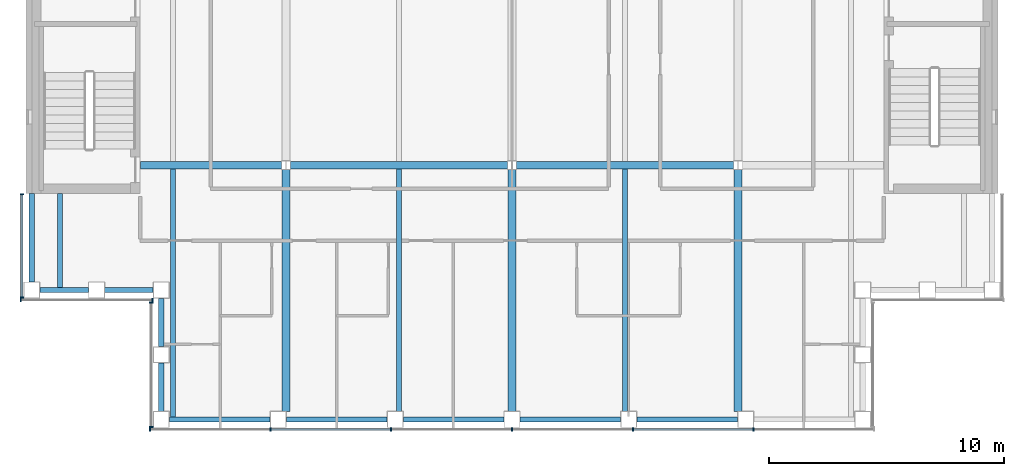
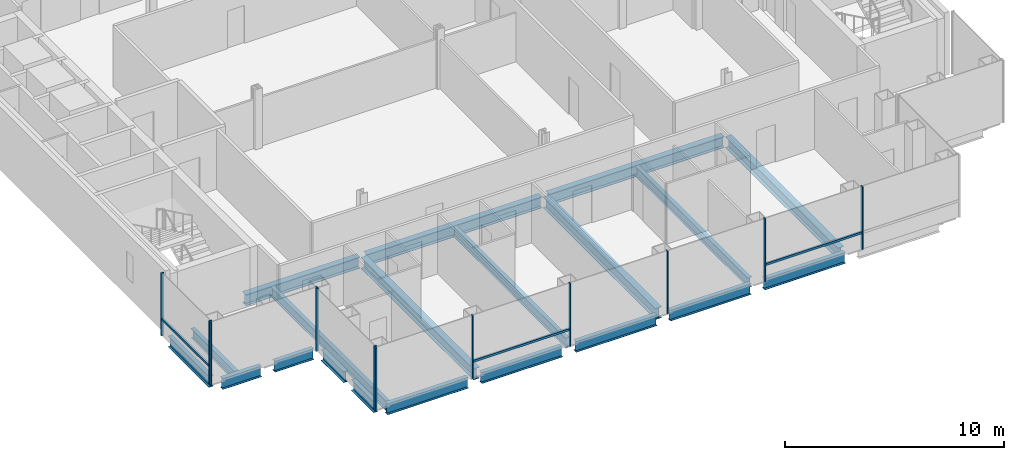
# One storey, part 3 of 15: 20 beams, 15 members, 4 elements without a shape of their own.
"""IFC4 building model written with IfcOpenShell, lengths in metres."""

from ifc_helpers import new_model, si_unit, direction, frame, origin, origin_2d, place, context, subcontext, project, spatial, rectangle, i_section, extrude, material, material_profile, profile_set, type_object, element, aggregate, save


model = new_model("IFC4")

# Units and contexts
model_context = context("Model", 3, precision=1e-05, world=origin(), true_north=direction((0.0, 1.0)))
body_context = subcontext(model_context, "Body", "Model", "MODEL_VIEW")
ifc_project = project(units=[si_unit("LENGTHUNIT", "METRE"), si_unit("AREAUNIT", "SQUARE_METRE"), si_unit("VOLUMEUNIT", "CUBIC_METRE"), si_unit("PLANEANGLEUNIT", "RADIAN"), si_unit("MASSUNIT", "GRAM", prefix="KILO")], contexts=[model_context])

# Site, building, storey
site_placement = place(None, origin())
site = spatial("IfcSite", under=ifc_project, at=site_placement, CompositionType="ELEMENT")
building_placement = place(site_placement, origin())
building = spatial("IfcBuilding", under=site, at=building_placement, Name="Cobrizo Arcos Hotel Tower", CompositionType="ELEMENT")
storey_placement = place(building_placement, frame((0.0, 0.0, 201.5)))
storey = spatial("IfcBuildingStorey", under=building, at=storey_placement, Name="L52", CompositionType="ELEMENT", Elevation=201.5)

# Curtain wall, members
ifc_material_1 = material(Name="Aluminium 6063-T6 anodised bronze", Category="aluminium")
curtain_wall_type = type_object("IfcCurtainWallType", Name="CW-A guest facade", PredefinedType="NOTDEFINED", material=ifc_material_1)
curtain_wall_1_placement = place(storey_placement, origin())
curtain_wall_1 = element("IfcCurtainWall", 1, at=curtain_wall_1_placement, inside=storey, type_object=curtain_wall_type, Name="CW-A L52 S face", PredefinedType="NOTDEFINED")
ifc_material_profile_1 = material_profile(ifc_material_1, rectangle(XDim=0.14990234375, YDim=0.06005859375, at=origin_2d()), Name="CW-A mullion 150x60")
ifc_profile_set_1 = profile_set([ifc_material_profile_1], Name="Aluminium 6063-T6 anodised bronze")
member_type_1 = type_object("IfcMemberType", Name="CW-A mullion 150x60", PredefinedType="MULLION", material=ifc_profile_set_1)
member_1_placement = place(storey_placement, frame((-15.3701171875, -20.824951171875, 0.0), z_axis=(0.0, 0.0, 1.0), x_axis=(0.0, -1.0, 0.0)))
member_1 = element("IfcMember", 2, at=member_1_placement, type_object=member_type_1, Name="CW-A mullion 1", PredefinedType="MULLION", context=body_context, shape_type="SweptSolid", body=[
    extrude(rectangle(XDim=0.14990234375, YDim=0.06005859375, at=origin_2d()), origin(), (0.0, 0.0, 1.0), 3.5),
])
member_2_placement = place(storey_placement, frame((-10.2666015625, -20.824951171875, 0.0), z_axis=(0.0, 0.0, 1.0), x_axis=(0.0, -1.0, 0.0)))
member_2 = element("IfcMember", 3, at=member_2_placement, type_object=member_type_1, Name="CW-A mullion 2", PredefinedType="MULLION", context=body_context, shape_type="SweptSolid", body=[
    extrude(rectangle(XDim=0.14990234375, YDim=0.06005859375, at=origin_2d()), origin(), (0.0, 0.0, 1.0), 3.5),
])
member_3_placement = place(storey_placement, frame((-5.13330078125, -20.824951171875, 0.0), z_axis=(0.0, 0.0, 1.0), x_axis=(0.0, -1.0, 0.0)))
member_3 = element("IfcMember", 4, at=member_3_placement, type_object=member_type_1, Name="CW-A mullion 3", PredefinedType="MULLION", context=body_context, shape_type="SweptSolid", body=[
    extrude(rectangle(XDim=0.14990234375, YDim=0.06005859375, at=origin_2d()), origin(), (0.0, 0.0, 1.0), 3.5),
])
member_4_placement = place(storey_placement, frame((0.0, -20.824951171875, 0.0), z_axis=(0.0, 0.0, 1.0), x_axis=(0.0, -1.0, 0.0)))
member_4 = element("IfcMember", 5, at=member_4_placement, type_object=member_type_1, Name="CW-A mullion 4", PredefinedType="MULLION", context=body_context, shape_type="SweptSolid", body=[
    extrude(rectangle(XDim=0.14990234375, YDim=0.06005859375, at=origin_2d()), origin(), (0.0, 0.0, 1.0), 3.5),
])
member_5_placement = place(storey_placement, frame((5.13330078125, -20.824951171875, 0.0), z_axis=(0.0, 0.0, 1.0), x_axis=(0.0, -1.0, 0.0)))
member_5 = element("IfcMember", 6, at=member_5_placement, type_object=member_type_1, Name="CW-A mullion 5", PredefinedType="MULLION", context=body_context, shape_type="SweptSolid", body=[
    extrude(rectangle(XDim=0.14990234375, YDim=0.06005859375, at=origin_2d()), origin(), (0.0, 0.0, 1.0), 3.5),
])
member_6_placement = place(storey_placement, frame((10.2666015625, -20.824951171875, 0.0), z_axis=(0.0, 0.0, 1.0), x_axis=(0.0, -1.0, 0.0)))
member_6 = element("IfcMember", 7, at=member_6_placement, type_object=member_type_1, Name="CW-A mullion 6", PredefinedType="MULLION", context=body_context, shape_type="SweptSolid", body=[
    extrude(rectangle(XDim=0.14990234375, YDim=0.06005859375, at=origin_2d()), origin(), (0.0, 0.0, 1.0), 3.5),
])

curtain_wall_2_placement = place(storey_placement, origin())
curtain_wall_2 = element("IfcCurtainWall", 8, at=curtain_wall_2_placement, inside=storey, type_object=curtain_wall_type, Name="CW-A L52 W face", PredefinedType="NOTDEFINED")
member_7_placement = place(storey_placement, frame((-20.824951171875, -10.830078125, 0.0), z_axis=(0.0, 0.0, 1.0), x_axis=(-1.0, 0.0, 0.0)))
member_7 = element("IfcMember", 9, at=member_7_placement, type_object=member_type_1, Name="CW-A mullion 1", PredefinedType="MULLION", context=body_context, shape_type="SweptSolid", body=[
    extrude(rectangle(XDim=0.14990234375, YDim=0.06005859375, at=origin_2d()), origin(), (0.0, 0.0, 1.0), 3.5),
])
member_8_placement = place(storey_placement, frame((-20.824951171875, -15.219970703125, 0.0), z_axis=(0.0, 0.0, 1.0), x_axis=(-1.0, 0.0, 0.0)))
member_8 = element("IfcMember", 10, at=member_8_placement, type_object=member_type_1, Name="CW-A mullion 2", PredefinedType="MULLION", context=body_context, shape_type="SweptSolid", body=[
    extrude(rectangle(XDim=0.14990234375, YDim=0.06005859375, at=origin_2d()), origin(), (0.0, 0.0, 1.0), 3.5),
])

curtain_wall_3_placement = place(storey_placement, origin())
curtain_wall_3 = element("IfcCurtainWall", 11, at=curtain_wall_3_placement, inside=storey, type_object=curtain_wall_type, Name="CW-A L52 S face", PredefinedType="NOTDEFINED")
member_9_placement = place(storey_placement, frame((-20.8701171875, -15.324951171875, 0.0), z_axis=(0.0, 0.0, 1.0), x_axis=(0.0, -1.0, 0.0)))
member_9 = element("IfcMember", 12, at=member_9_placement, type_object=member_type_1, Name="CW-A mullion 1", PredefinedType="MULLION", context=body_context, shape_type="SweptSolid", body=[
    extrude(rectangle(XDim=0.14990234375, YDim=0.06005859375, at=origin_2d()), origin(), (0.0, 0.0, 1.0), 3.5),
])
member_10_placement = place(storey_placement, frame((-15.280029296875, -15.324951171875, 0.0), z_axis=(0.0, 0.0, 1.0), x_axis=(0.0, -1.0, 0.0)))
member_10 = element("IfcMember", 13, at=member_10_placement, type_object=member_type_1, Name="CW-A mullion 2", PredefinedType="MULLION", context=body_context, shape_type="SweptSolid", body=[
    extrude(rectangle(XDim=0.14990234375, YDim=0.06005859375, at=origin_2d()), origin(), (0.0, 0.0, 1.0), 3.5),
])
aggregate(curtain_wall_3, [member_9, member_10])

curtain_wall_4_placement = place(storey_placement, origin())
curtain_wall_4 = element("IfcCurtainWall", 14, at=curtain_wall_4_placement, inside=storey, type_object=curtain_wall_type, Name="CW-A L52 W face", PredefinedType="NOTDEFINED")
member_11_placement = place(storey_placement, frame((-15.324951171875, -15.429931640625, 0.0), z_axis=(0.0, 0.0, 1.0), x_axis=(-1.0, 0.0, 0.0)))
member_11 = element("IfcMember", 15, at=member_11_placement, type_object=member_type_1, Name="CW-A mullion 1", PredefinedType="MULLION", context=body_context, shape_type="SweptSolid", body=[
    extrude(rectangle(XDim=0.14990234375, YDim=0.06005859375, at=origin_2d()), origin(), (0.0, 0.0, 1.0), 3.5),
])
member_12_placement = place(storey_placement, frame((-15.324951171875, -20.719970703125, 0.0), z_axis=(0.0, 0.0, 1.0), x_axis=(-1.0, 0.0, 0.0)))
member_12 = element("IfcMember", 16, at=member_12_placement, type_object=member_type_1, Name="CW-A mullion 2", PredefinedType="MULLION", context=body_context, shape_type="SweptSolid", body=[
    extrude(rectangle(XDim=0.14990234375, YDim=0.06005859375, at=origin_2d()), origin(), (0.0, 0.0, 1.0), 3.5),
])
aggregate(curtain_wall_4, [member_11, member_12])

# Member
ifc_material_profile_2 = material_profile(ifc_material_1, rectangle(XDim=0.10009765625, YDim=0.1201171875, at=origin_2d()), Name="CW-A transom 120x100")
ifc_profile_set_2 = profile_set([ifc_material_profile_2], Name="Aluminium 6063-T6 anodised bronze")
member_type_2 = type_object("IfcMemberType", Name="CW-A transom 120x100", PredefinedType="USERDEFINED", material=ifc_profile_set_2)
member_13_placement = place(storey_placement, frame((-10.236572265625, -20.824951171875, 0.929931640625), z_axis=(1.0, 0.0, 0.0), x_axis=(0.0, 1.0, 0.0)))
member_13 = element("IfcMember", 17, at=member_13_placement, type_object=member_type_2, Name="CW-A transom 1769", ObjectType="TRANSOM", PredefinedType="USERDEFINED", context=body_context, shape_type="SweptSolid", body=[
    extrude(rectangle(XDim=0.10009765625, YDim=0.1201171875, at=origin_2d()), origin(), (0.0, 0.0, 1.0), 5.0732421875),
])

member_14_placement = place(storey_placement, frame((5.163330078125, -20.824951171875, 0.929931640625), z_axis=(1.0, 0.0, 0.0), x_axis=(0.0, 1.0, 0.0)))
member_14 = element("IfcMember", 18, at=member_14_placement, type_object=member_type_2, Name="CW-A transom 1772", ObjectType="TRANSOM", PredefinedType="USERDEFINED", context=body_context, shape_type="SweptSolid", body=[
    extrude(rectangle(XDim=0.10009765625, YDim=0.1201171875, at=origin_2d()), origin(), (0.0, 0.0, 1.0), 5.0732421875),
])

aggregate(curtain_wall_1, [member_1, member_2, member_3, member_4, member_5, member_6, member_13, member_14])

member_15_placement = place(storey_placement, frame((-20.824951171875, -10.860107421875, 0.929931640625), z_axis=(0.0, -1.0, 0.0), x_axis=(1.0, 0.0, 0.0)))
member_15 = element("IfcMember", 19, at=member_15_placement, type_object=member_type_2, Name="CW-A transom 1789", ObjectType="TRANSOM", PredefinedType="USERDEFINED", context=body_context, shape_type="SweptSolid", body=[
    extrude(rectangle(XDim=0.10009765625, YDim=0.1201171875, at=origin_2d()), origin(), (0.0, 0.0, 1.0), 4.329833984375),
])

aggregate(curtain_wall_2, [member_7, member_8, member_15])

# Beams
ifc_material_2 = material(Name="Steel ASTM A992 Grade 50", Category="steel")
ifc_material_profile_3 = material_profile(ifc_material_2, i_section(OverallWidth=0.209228515625, OverallDepth=0.533447265625, WebThickness=0.01025390625, FlangeThickness=0.015625, at=origin_2d()), Name="W21X62")
ifc_profile_set_3 = profile_set([ifc_material_profile_3], Name="Steel ASTM A992 Grade 50")
beam_type_1 = type_object("IfcBeamType", Name="W21X62 joist", PredefinedType="JOIST", material=ifc_profile_set_3)
beam_1_placement = place(storey_placement, frame((-19.199951171875, -14.81005859375, -0.416748046875), z_axis=(0.0, 1.0, 0.0), x_axis=(-1.0, 0.0, 0.0)))
element("IfcBeam", 20, at=beam_1_placement, inside=storey, type_object=beam_type_1, Name="Floor joist J1, L52, no. 001", PredefinedType="JOIST", context=body_context, shape_type="SweptSolid", body=[
    extrude(i_section(OverallWidth=0.209228515625, OverallDepth=0.533447265625, WebThickness=0.01025390625, FlangeThickness=0.015625, at=origin_2d()), origin(), (0.0, 0.0, 1.0), 4.0),
])
beam_2_placement = place(storey_placement, frame((-14.39990234375, -20.31005859375, -0.416748046875), z_axis=(0.0, 1.0, 0.0), x_axis=(-1.0, 0.0, 0.0)))
element("IfcBeam", 21, at=beam_2_placement, inside=storey, type_object=beam_type_1, Name="Floor joist J1, L52, no. 003", PredefinedType="JOIST", context=body_context, shape_type="SweptSolid", body=[
    extrude(i_section(OverallWidth=0.209228515625, OverallDepth=0.533447265625, WebThickness=0.01025390625, FlangeThickness=0.015625, at=origin_2d()), origin(), (0.0, 0.0, 1.0), 10.546142578125),
])
for number, where, z_axis, x_axis, name in (
    (22, (-4.800048828125, -20.050048828125, -0.416748046875), (0.0, 1.0, 0.0), (-1.0, 0.0, 0.0), "Floor joist J1, L52, no. 007"),
    (23, (4.800048828125, -20.050048828125, -0.416748046875), (0.0, 1.0, 0.0), (-1.0, 0.0, 0.0), "Floor joist J1, L52, no. 011"),
):
    element("IfcBeam", number, at=place(storey_placement, frame(where, z_axis=z_axis, x_axis=x_axis)), inside=storey, type_object=beam_type_1, Name=name, PredefinedType="JOIST", context=body_context, shape_type="SweptSolid", body=[
        extrude(i_section(OverallWidth=0.209228515625, OverallDepth=0.533447265625, WebThickness=0.01025390625, FlangeThickness=0.015625, at=origin_2d()), origin(), (0.0, 0.0, 1.0), 10.2861328125),
    ])
ifc_material_profile_4 = material_profile(ifc_material_2, i_section(OverallWidth=0.32763671875, OverallDepth=0.622314453125, WebThickness=0.015380859375, FlangeThickness=0.0244140625, at=origin_2d()), Name="W24X131")
ifc_profile_set_4 = profile_set([ifc_material_profile_4], Name="Steel ASTM A992 Grade 50")
beam_type_2 = type_object("IfcBeamType", Name="W24X131 girder", PredefinedType="BEAM", material=ifc_profile_set_4)
beam_3_placement = place(storey_placement, frame((-15.7900390625, -9.60009765625, -0.461181640625), z_axis=(1.0, 0.0, 0.0), x_axis=(0.0, 1.0, 0.0)))
element("IfcBeam", 24, at=beam_3_placement, inside=storey, type_object=beam_type_2, Name="Floor girder G1, L52, no. 001", PredefinedType="BEAM", context=body_context, shape_type="SweptSolid", body=[
    extrude(i_section(OverallWidth=0.32763671875, OverallDepth=0.622314453125, WebThickness=0.015380859375, FlangeThickness=0.0244140625, at=origin_2d()), origin(), (0.0, 0.0, 1.0), 6.00341796875),
])
for number, where, z_axis, x_axis, name in (
    (25, (-9.413330078125, -9.60009765625, -0.461181640625), (1.0, 0.0, 0.0), (0.0, 1.0, 0.0), "Floor girder G1, L52, no. 002"),
    (26, (0.186767578125, -9.60009765625, -0.461181640625), (1.0, 0.0, 0.0), (0.0, 1.0, 0.0), "Floor girder G1, L52, no. 003"),
):
    element("IfcBeam", number, at=place(storey_placement, frame(where, z_axis=z_axis, x_axis=x_axis)), inside=storey, type_object=beam_type_2, Name=name, PredefinedType="BEAM", context=body_context, shape_type="SweptSolid", body=[
        extrude(i_section(OverallWidth=0.32763671875, OverallDepth=0.622314453125, WebThickness=0.015380859375, FlangeThickness=0.0244140625, at=origin_2d()), origin(), (0.0, 0.0, 1.0), 9.2265625),
    ])
for number, where, z_axis, x_axis, name in (
    (27, (-9.60009765625, -20.050048828125, -0.461181640625), (0.0, 1.0, 0.0), (-1.0, 0.0, 0.0), "Floor girder G1, L52, no. 013"),
    (28, (0.0, -20.050048828125, -0.461181640625), (0.0, 1.0, 0.0), (-1.0, 0.0, 0.0), "Floor girder G1, L52, no. 017"),
    (29, (9.60009765625, -20.050048828125, -0.461181640625), (0.0, 1.0, 0.0), (-1.0, 0.0, 0.0), "Floor girder G1, L52, no. 021"),
):
    element("IfcBeam", number, at=place(storey_placement, frame(where, z_axis=z_axis, x_axis=x_axis)), inside=storey, type_object=beam_type_2, Name=name, PredefinedType="BEAM", context=body_context, shape_type="SweptSolid", body=[
        extrude(i_section(OverallWidth=0.32763671875, OverallDepth=0.622314453125, WebThickness=0.015380859375, FlangeThickness=0.0244140625, at=origin_2d()), origin(), (0.0, 0.0, 1.0), 10.263427734375),
    ])
ifc_material_profile_5 = material_profile(ifc_material_2, i_section(OverallWidth=0.228271484375, OverallDepth=0.607177734375, WebThickness=0.01123046875, FlangeThickness=0.017333984375, at=origin_2d()), Name="W24X76")
ifc_profile_set_5 = profile_set([ifc_material_profile_5], Name="Steel ASTM A992 Grade 50")
beam_type_3 = type_object("IfcBeamType", Name="W24X76 spandrel", PredefinedType="SPANDREL", material=ifc_profile_set_5)
beam_4_placement = place(storey_placement, frame((-14.550048828125, -20.39990234375, -0.45361328125), z_axis=(1.0, 0.0, 0.0), x_axis=(0.0, 1.0, 0.0)))
element("IfcBeam", 30, at=beam_4_placement, inside=storey, type_object=beam_type_3, Name="Spandrel beam W24X76, L52, no. 001", PredefinedType="SPANDREL", context=body_context, shape_type="SweptSolid", body=[
    extrude(i_section(OverallWidth=0.228271484375, OverallDepth=0.607177734375, WebThickness=0.01123046875, FlangeThickness=0.017333984375, at=origin_2d()), origin(), (0.0, 0.0, 1.0), 4.26708984375),
])
beam_5_placement = place(storey_placement, frame((-9.5830078125, -20.39990234375, -0.45361328125), z_axis=(1.0, 0.0, 0.0), x_axis=(0.0, 1.0, 0.0)))
element("IfcBeam", 31, at=beam_5_placement, inside=storey, type_object=beam_type_3, Name="Spandrel beam W24X76, L52, no. 002", PredefinedType="SPANDREL", context=body_context, shape_type="SweptSolid", body=[
    extrude(i_section(OverallWidth=0.228271484375, OverallDepth=0.607177734375, WebThickness=0.01123046875, FlangeThickness=0.017333984375, at=origin_2d()), origin(), (0.0, 0.0, 1.0), 4.26611328125),
])
for number, where, z_axis, x_axis, name in (
    (32, (-4.616943359375, -20.39990234375, -0.45361328125), (1.0, 0.0, 0.0), (0.0, 1.0, 0.0), "Spandrel beam W24X76, L52, no. 003"),
    (33, (0.35009765625, -20.39990234375, -0.45361328125), (1.0, 0.0, 0.0), (0.0, 1.0, 0.0), "Spandrel beam W24X76, L52, no. 004"),
):
    element("IfcBeam", number, at=place(storey_placement, frame(where, z_axis=z_axis, x_axis=x_axis)), inside=storey, type_object=beam_type_3, Name=name, PredefinedType="SPANDREL", context=body_context, shape_type="SweptSolid", body=[
        extrude(i_section(OverallWidth=0.228271484375, OverallDepth=0.607177734375, WebThickness=0.01123046875, FlangeThickness=0.017333984375, at=origin_2d()), origin(), (0.0, 0.0, 1.0), 4.266845703125),
    ])
beam_6_placement = place(storey_placement, frame((5.31689453125, -20.39990234375, -0.45361328125), z_axis=(1.0, 0.0, 0.0), x_axis=(0.0, 1.0, 0.0)))
element("IfcBeam", 34, at=beam_6_placement, inside=storey, type_object=beam_type_3, Name="Spandrel beam W24X76, L52, no. 005", PredefinedType="SPANDREL", context=body_context, shape_type="SweptSolid", body=[
    extrude(i_section(OverallWidth=0.228271484375, OverallDepth=0.607177734375, WebThickness=0.01123046875, FlangeThickness=0.017333984375, at=origin_2d()), origin(), (0.0, 0.0, 1.0), 4.26611328125),
])
beam_7_placement = place(storey_placement, frame((-20.39990234375, -10.81005859375, -0.45361328125), z_axis=(0.0, -1.0, 0.0), x_axis=(1.0, 0.0, 0.0)))
element("IfcBeam", 35, at=beam_7_placement, inside=storey, type_object=beam_type_3, Name="Spandrel beam W24X76, L52, no. 028", PredefinedType="SPANDREL", context=body_context, shape_type="SweptSolid", body=[
    extrude(i_section(OverallWidth=0.228271484375, OverallDepth=0.607177734375, WebThickness=0.01123046875, FlangeThickness=0.017333984375, at=origin_2d()), origin(), (0.0, 0.0, 1.0), 3.739990234375),
])
for number, where, z_axis, x_axis, name in (
    (36, (-20.050048828125, -14.89990234375, -0.45361328125), (1.0, 0.0, 0.0), (0.0, 1.0, 0.0), "Spandrel beam W24X76, L52, no. 029"),
    (37, (-17.300048828125, -14.89990234375, -0.45361328125), (1.0, 0.0, 0.0), (0.0, 1.0, 0.0), "Spandrel beam W24X76, L52, no. 030"),
    (38, (-14.89990234375, -15.25, -0.45361328125), (0.0, -1.0, 0.0), (1.0, 0.0, 0.0), "Spandrel beam W24X76, L52, no. 031"),
    (39, (-14.89990234375, -18.0, -0.45361328125), (0.0, -1.0, 0.0), (1.0, 0.0, 0.0), "Spandrel beam W24X76, L52, no. 032"),
):
    element("IfcBeam", number, at=place(storey_placement, frame(where, z_axis=z_axis, x_axis=x_axis)), inside=storey, type_object=beam_type_3, Name=name, PredefinedType="SPANDREL", context=body_context, shape_type="SweptSolid", body=[
        extrude(i_section(OverallWidth=0.228271484375, OverallDepth=0.607177734375, WebThickness=0.01123046875, FlangeThickness=0.017333984375, at=origin_2d()), origin(), (0.0, 0.0, 1.0), 2.050048828125),
    ])

save(model, "model.ifc")
